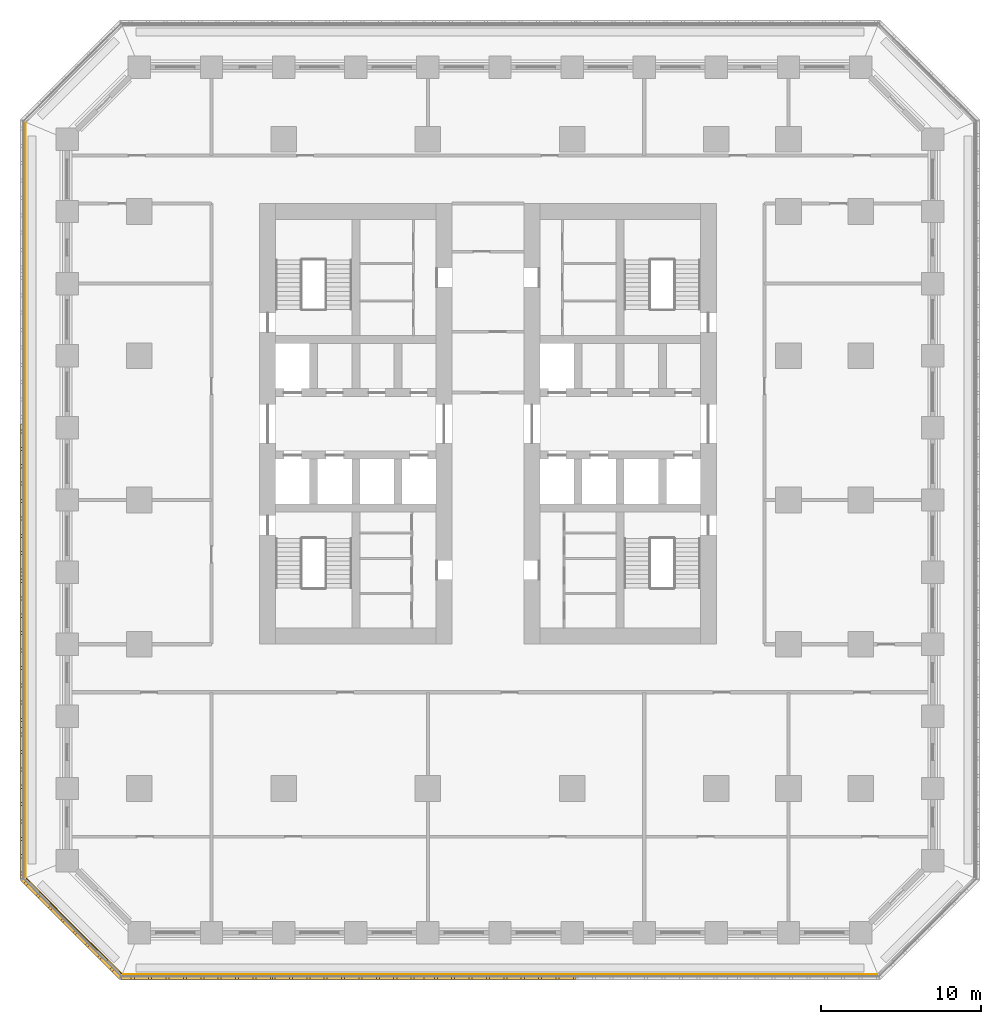
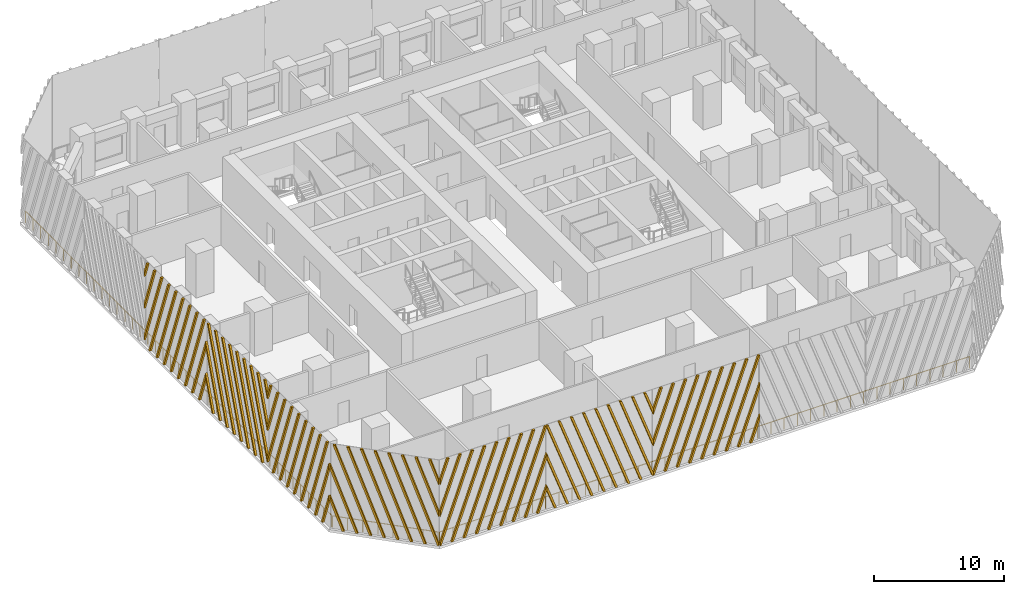
# One storey, part 9 of 14: 7 shading devices, 3 railings.
"""IFC4 building model written with IfcOpenShell, lengths in metres."""

from ifc_helpers import new_model, si_unit, direction, frame, origin, origin_2d, place, context, subcontext, project, spatial, polyline, circle, outline, extrude, source, transform, mapped, material, type_object, element, save


model = new_model("IFC4")

# Units and contexts
model_context = context("Model", 3, precision=1e-05, world=origin(), true_north=direction((0.0, 1.0)))
body_context = subcontext(model_context, "Body", "Model", "MODEL_VIEW")
ifc_project = project(units=[si_unit("LENGTHUNIT", "METRE"), si_unit("AREAUNIT", "SQUARE_METRE"), si_unit("VOLUMEUNIT", "CUBIC_METRE"), si_unit("PLANEANGLEUNIT", "RADIAN"), si_unit("MASSUNIT", "GRAM", prefix="KILO")], contexts=[model_context])

# Site, building, storey
site_placement = place(None, origin())
site = spatial("IfcSite", under=ifc_project, at=site_placement, CompositionType="ELEMENT")
building_placement = place(site_placement, origin())
building = spatial("IfcBuilding", under=site, at=building_placement, Name="Corbel Stack Research Tower", CompositionType="ELEMENT")
storey_placement = place(building_placement, frame((0.0, 0.0, 50.10009765625)))
storey = spatial("IfcBuildingStorey", under=building, at=storey_placement, Name="L11", CompositionType="ELEMENT", Elevation=50.10009765625)

# Railings
ifc_material_1 = material(Name="Powder-coated steel guard", Category="steel")
railing_type = type_object("IfcRailingType", Name="Steel and glass guard 1100", PredefinedType="GUARDRAIL", material=ifc_material_1)
railing_1_placement = place(storey_placement, frame((-19.00537109375, -29.60009765625, 0.0)))
element("IfcRailing", 1, at=railing_1_placement, inside=storey, type_object=railing_type, Name="Loggia guard L11 S", PredefinedType="GUARDRAIL", context=body_context, shape_type="SweptSolid", body=[
    extrude(circle(Radius=0.02392578125, at=origin_2d()), frame((0.0, 0.0, 1.076171875), z_axis=(1.0, 0.0, 0.0), x_axis=(0.0, 1.0, 0.0)), (0.0, 0.0, 1.0), 47.0107421875),
    extrude(circle(Radius=0.02099609375, at=origin_2d()), origin(), (0.0, 0.0, 1.0), 1.052001953125),
    extrude(circle(Radius=0.02099609375, at=origin_2d()), frame((1.17529296875, 0.0, 0.0)), (0.0, 0.0, 1.0), 1.052001953125),
    extrude(circle(Radius=0.02099609375, at=origin_2d()), frame((2.3505859375, 0.0, 0.0)), (0.0, 0.0, 1.0), 1.052001953125),
    extrude(circle(Radius=0.02099609375, at=origin_2d()), frame((3.52587890625, 0.0, 0.0)), (0.0, 0.0, 1.0), 1.052001953125),
    extrude(circle(Radius=0.02099609375, at=origin_2d()), frame((4.701171875, 0.0, 0.0)), (0.0, 0.0, 1.0), 1.052001953125),
    extrude(circle(Radius=0.02099609375, at=origin_2d()), frame((5.87646484375, 0.0, 0.0)), (0.0, 0.0, 1.0), 1.052001953125),
    extrude(circle(Radius=0.02099609375, at=origin_2d()), frame((7.051513671875, 0.0, 0.0)), (0.0, 0.0, 1.0), 1.052001953125),
    extrude(circle(Radius=0.02099609375, at=origin_2d()), frame((8.226806640625, 0.0, 0.0)), (0.0, 0.0, 1.0), 1.052001953125),
    extrude(circle(Radius=0.02099609375, at=origin_2d()), frame((9.402099609375, 0.0, 0.0)), (0.0, 0.0, 1.0), 1.052001953125),
    extrude(circle(Radius=0.02099609375, at=origin_2d()), frame((10.577392578125, 0.0, 0.0)), (0.0, 0.0, 1.0), 1.052001953125),
    extrude(circle(Radius=0.02099609375, at=origin_2d()), frame((11.752685546875, 0.0, 0.0)), (0.0, 0.0, 1.0), 1.052001953125),
    extrude(circle(Radius=0.02099609375, at=origin_2d()), frame((12.927978515625, 0.0, 0.0)), (0.0, 0.0, 1.0), 1.052001953125),
    extrude(circle(Radius=0.02099609375, at=origin_2d()), frame((14.103271484375, 0.0, 0.0)), (0.0, 0.0, 1.0), 1.052001953125),
    extrude(circle(Radius=0.02099609375, at=origin_2d()), frame((15.278564453125, 0.0, 0.0)), (0.0, 0.0, 1.0), 1.052001953125),
    extrude(circle(Radius=0.02099609375, at=origin_2d()), frame((16.453857421875, 0.0, 0.0)), (0.0, 0.0, 1.0), 1.052001953125),
    extrude(circle(Radius=0.02099609375, at=origin_2d()), frame((17.62890625, 0.0, 0.0)), (0.0, 0.0, 1.0), 1.052001953125),
    extrude(circle(Radius=0.02099609375, at=origin_2d()), frame((18.80419921875, 0.0, 0.0)), (0.0, 0.0, 1.0), 1.052001953125),
    extrude(circle(Radius=0.02099609375, at=origin_2d()), frame((19.9794921875, 0.0, 0.0)), (0.0, 0.0, 1.0), 1.052001953125),
    extrude(circle(Radius=0.02099609375, at=origin_2d()), frame((21.15478515625, 0.0, 0.0)), (0.0, 0.0, 1.0), 1.052001953125),
    extrude(circle(Radius=0.02099609375, at=origin_2d()), frame((22.330078125, 0.0, 0.0)), (0.0, 0.0, 1.0), 1.052001953125),
    extrude(circle(Radius=0.02099609375, at=origin_2d()), frame((23.50537109375, 0.0, 0.0)), (0.0, 0.0, 1.0), 1.052001953125),
    extrude(circle(Radius=0.02099609375, at=origin_2d()), frame((24.6806640625, 0.0, 0.0)), (0.0, 0.0, 1.0), 1.052001953125),
    extrude(circle(Radius=0.02099609375, at=origin_2d()), frame((25.85595703125, 0.0, 0.0)), (0.0, 0.0, 1.0), 1.052001953125),
    extrude(circle(Radius=0.02099609375, at=origin_2d()), frame((27.03125, 0.0, 0.0)), (0.0, 0.0, 1.0), 1.052001953125),
    extrude(circle(Radius=0.02099609375, at=origin_2d()), frame((28.20654296875, 0.0, 0.0)), (0.0, 0.0, 1.0), 1.052001953125),
    extrude(circle(Radius=0.02099609375, at=origin_2d()), frame((29.3818359375, 0.0, 0.0)), (0.0, 0.0, 1.0), 1.052001953125),
    extrude(circle(Radius=0.02099609375, at=origin_2d()), frame((30.556884765625, 0.0, 0.0)), (0.0, 0.0, 1.0), 1.052001953125),
    extrude(circle(Radius=0.02099609375, at=origin_2d()), frame((31.732177734375, 0.0, 0.0)), (0.0, 0.0, 1.0), 1.052001953125),
    extrude(circle(Radius=0.02099609375, at=origin_2d()), frame((32.907470703125, 0.0, 0.0)), (0.0, 0.0, 1.0), 1.052001953125),
    extrude(circle(Radius=0.02099609375, at=origin_2d()), frame((34.082763671875, 0.0, 0.0)), (0.0, 0.0, 1.0), 1.052001953125),
    extrude(circle(Radius=0.02099609375, at=origin_2d()), frame((35.258056640625, 0.0, 0.0)), (0.0, 0.0, 1.0), 1.052001953125),
    extrude(circle(Radius=0.02099609375, at=origin_2d()), frame((36.433349609375, 0.0, 0.0)), (0.0, 0.0, 1.0), 1.052001953125),
    extrude(circle(Radius=0.02099609375, at=origin_2d()), frame((37.608642578125, 0.0, 0.0)), (0.0, 0.0, 1.0), 1.052001953125),
    extrude(circle(Radius=0.02099609375, at=origin_2d()), frame((38.783935546875, 0.0, 0.0)), (0.0, 0.0, 1.0), 1.052001953125),
    extrude(circle(Radius=0.02099609375, at=origin_2d()), frame((39.959228515625, 0.0, 0.0)), (0.0, 0.0, 1.0), 1.052001953125),
    extrude(circle(Radius=0.02099609375, at=origin_2d()), frame((41.13427734375, 0.0, 0.0)), (0.0, 0.0, 1.0), 1.052001953125),
    extrude(circle(Radius=0.02099609375, at=origin_2d()), frame((42.3095703125, 0.0, 0.0)), (0.0, 0.0, 1.0), 1.052001953125),
    extrude(circle(Radius=0.02099609375, at=origin_2d()), frame((43.48486328125, 0.0, 0.0)), (0.0, 0.0, 1.0), 1.052001953125),
    extrude(circle(Radius=0.02099609375, at=origin_2d()), frame((44.66015625, 0.0, 0.0)), (0.0, 0.0, 1.0), 1.052001953125),
    extrude(circle(Radius=0.02099609375, at=origin_2d()), frame((45.83544921875, 0.0, 0.0)), (0.0, 0.0, 1.0), 1.052001953125),
    extrude(circle(Radius=0.02099609375, at=origin_2d()), frame((47.0107421875, 0.0, 0.0)), (0.0, 0.0, 1.0), 1.052001953125),
])
railing_2_placement = place(storey_placement, frame((-25.10009765625, 23.50537109375, 0.0)))
element("IfcRailing", 2, at=railing_2_placement, inside=storey, type_object=railing_type, Name="Loggia guard L11 W", PredefinedType="GUARDRAIL", context=body_context, shape_type="SweptSolid", body=[
    extrude(circle(Radius=0.02392578125, at=origin_2d()), frame((0.0, 0.0, 1.076171875), z_axis=(0.0, -1.0, 0.0), x_axis=(1.0, 0.0, 0.0)), (0.0, 0.0, 1.0), 47.0107421875),
    extrude(circle(Radius=0.02099609375, at=origin_2d()), origin(), (0.0, 0.0, 1.0), 1.052001953125),
    extrude(circle(Radius=0.02099609375, at=origin_2d()), frame((0.0, -1.17529296875, 0.0)), (0.0, 0.0, 1.0), 1.052001953125),
    extrude(circle(Radius=0.02099609375, at=origin_2d()), frame((0.0, -2.3505859375, 0.0)), (0.0, 0.0, 1.0), 1.052001953125),
    extrude(circle(Radius=0.02099609375, at=origin_2d()), frame((0.0, -3.52587890625, 0.0)), (0.0, 0.0, 1.0), 1.052001953125),
    extrude(circle(Radius=0.02099609375, at=origin_2d()), frame((0.0, -4.701171875, 0.0)), (0.0, 0.0, 1.0), 1.052001953125),
    extrude(circle(Radius=0.02099609375, at=origin_2d()), frame((0.0, -5.87646484375, 0.0)), (0.0, 0.0, 1.0), 1.052001953125),
    extrude(circle(Radius=0.02099609375, at=origin_2d()), frame((0.0, -7.051513671875, 0.0)), (0.0, 0.0, 1.0), 1.052001953125),
    extrude(circle(Radius=0.02099609375, at=origin_2d()), frame((0.0, -8.226806640625, 0.0)), (0.0, 0.0, 1.0), 1.052001953125),
    extrude(circle(Radius=0.02099609375, at=origin_2d()), frame((0.0, -9.402099609375, 0.0)), (0.0, 0.0, 1.0), 1.052001953125),
    extrude(circle(Radius=0.02099609375, at=origin_2d()), frame((0.0, -10.577392578125, 0.0)), (0.0, 0.0, 1.0), 1.052001953125),
    extrude(circle(Radius=0.02099609375, at=origin_2d()), frame((0.0, -11.752685546875, 0.0)), (0.0, 0.0, 1.0), 1.052001953125),
    extrude(circle(Radius=0.02099609375, at=origin_2d()), frame((0.0, -12.927978515625, 0.0)), (0.0, 0.0, 1.0), 1.052001953125),
    extrude(circle(Radius=0.02099609375, at=origin_2d()), frame((0.0, -14.103271484375, 0.0)), (0.0, 0.0, 1.0), 1.052001953125),
    extrude(circle(Radius=0.02099609375, at=origin_2d()), frame((0.0, -15.278564453125, 0.0)), (0.0, 0.0, 1.0), 1.052001953125),
    extrude(circle(Radius=0.02099609375, at=origin_2d()), frame((0.0, -16.453857421875, 0.0)), (0.0, 0.0, 1.0), 1.052001953125),
    extrude(circle(Radius=0.02099609375, at=origin_2d()), frame((0.0, -17.62890625, 0.0)), (0.0, 0.0, 1.0), 1.052001953125),
    extrude(circle(Radius=0.02099609375, at=origin_2d()), frame((0.0, -18.80419921875, 0.0)), (0.0, 0.0, 1.0), 1.052001953125),
    extrude(circle(Radius=0.02099609375, at=origin_2d()), frame((0.0, -19.9794921875, 0.0)), (0.0, 0.0, 1.0), 1.052001953125),
    extrude(circle(Radius=0.02099609375, at=origin_2d()), frame((0.0, -21.15478515625, 0.0)), (0.0, 0.0, 1.0), 1.052001953125),
    extrude(circle(Radius=0.02099609375, at=origin_2d()), frame((0.0, -22.330078125, 0.0)), (0.0, 0.0, 1.0), 1.052001953125),
    extrude(circle(Radius=0.02099609375, at=origin_2d()), frame((0.0, -23.50537109375, 0.0)), (0.0, 0.0, 1.0), 1.052001953125),
    extrude(circle(Radius=0.02099609375, at=origin_2d()), frame((0.0, -24.6806640625, 0.0)), (0.0, 0.0, 1.0), 1.052001953125),
    extrude(circle(Radius=0.02099609375, at=origin_2d()), frame((0.0, -25.85595703125, 0.0)), (0.0, 0.0, 1.0), 1.052001953125),
    extrude(circle(Radius=0.02099609375, at=origin_2d()), frame((0.0, -27.03125, 0.0)), (0.0, 0.0, 1.0), 1.052001953125),
    extrude(circle(Radius=0.02099609375, at=origin_2d()), frame((0.0, -28.20654296875, 0.0)), (0.0, 0.0, 1.0), 1.052001953125),
    extrude(circle(Radius=0.02099609375, at=origin_2d()), frame((0.0, -29.3818359375, 0.0)), (0.0, 0.0, 1.0), 1.052001953125),
    extrude(circle(Radius=0.02099609375, at=origin_2d()), frame((0.0, -30.556884765625, 0.0)), (0.0, 0.0, 1.0), 1.052001953125),
    extrude(circle(Radius=0.02099609375, at=origin_2d()), frame((0.0, -31.732177734375, 0.0)), (0.0, 0.0, 1.0), 1.052001953125),
    extrude(circle(Radius=0.02099609375, at=origin_2d()), frame((0.0, -32.907470703125, 0.0)), (0.0, 0.0, 1.0), 1.052001953125),
    extrude(circle(Radius=0.02099609375, at=origin_2d()), frame((0.0, -34.082763671875, 0.0)), (0.0, 0.0, 1.0), 1.052001953125),
    extrude(circle(Radius=0.02099609375, at=origin_2d()), frame((0.0, -35.258056640625, 0.0)), (0.0, 0.0, 1.0), 1.052001953125),
    extrude(circle(Radius=0.02099609375, at=origin_2d()), frame((0.0, -36.433349609375, 0.0)), (0.0, 0.0, 1.0), 1.052001953125),
    extrude(circle(Radius=0.02099609375, at=origin_2d()), frame((0.0, -37.608642578125, 0.0)), (0.0, 0.0, 1.0), 1.052001953125),
    extrude(circle(Radius=0.02099609375, at=origin_2d()), frame((0.0, -38.783935546875, 0.0)), (0.0, 0.0, 1.0), 1.052001953125),
    extrude(circle(Radius=0.02099609375, at=origin_2d()), frame((0.0, -39.959228515625, 0.0)), (0.0, 0.0, 1.0), 1.052001953125),
    extrude(circle(Radius=0.02099609375, at=origin_2d()), frame((0.0, -41.13427734375, 0.0)), (0.0, 0.0, 1.0), 1.052001953125),
    extrude(circle(Radius=0.02099609375, at=origin_2d()), frame((0.0, -42.3095703125, 0.0)), (0.0, 0.0, 1.0), 1.052001953125),
    extrude(circle(Radius=0.02099609375, at=origin_2d()), frame((0.0, -43.48486328125, 0.0)), (0.0, 0.0, 1.0), 1.052001953125),
    extrude(circle(Radius=0.02099609375, at=origin_2d()), frame((0.0, -44.66015625, 0.0)), (0.0, 0.0, 1.0), 1.052001953125),
    extrude(circle(Radius=0.02099609375, at=origin_2d()), frame((0.0, -45.83544921875, 0.0)), (0.0, 0.0, 1.0), 1.052001953125),
    extrude(circle(Radius=0.02099609375, at=origin_2d()), frame((0.0, -47.0107421875, 0.0)), (0.0, 0.0, 1.0), 1.052001953125),
])
railing_3_placement = place(storey_placement, frame((-25.04931640625, -23.627685546875, 0.0)))
element("IfcRailing", 3, at=railing_3_placement, inside=storey, type_object=railing_type, Name="Loggia guard L11 SW", PredefinedType="GUARDRAIL", context=body_context, shape_type="SweptSolid", body=[
    extrude(circle(Radius=0.02392578125, at=origin_2d()), frame((0.0, 0.0, 1.076171875), z_axis=(0.707106781187, -0.707106781187, 0.0), x_axis=(0.707106781187, 0.707106781187, 0.0)), (0.0, 0.0, 1.0), 8.37451171875),
    extrude(circle(Radius=0.02099609375, at=origin_2d()), origin(), (0.0, 0.0, 1.0), 1.052001953125),
    extrude(circle(Radius=0.02099609375, at=origin_2d()), frame((0.845947265625, -0.845947265625, 0.0)), (0.0, 0.0, 1.0), 1.052001953125),
    extrude(circle(Radius=0.02099609375, at=origin_2d()), frame((1.69189453125, -1.69189453125, 0.0)), (0.0, 0.0, 1.0), 1.052001953125),
    extrude(circle(Radius=0.02099609375, at=origin_2d()), frame((2.537841796875, -2.537841796875, 0.0)), (0.0, 0.0, 1.0), 1.052001953125),
    extrude(circle(Radius=0.02099609375, at=origin_2d()), frame((3.3837890625, -3.3837890625, 0.0)), (0.0, 0.0, 1.0), 1.052001953125),
    extrude(circle(Radius=0.02099609375, at=origin_2d()), frame((4.229736328125, -4.229736328125, 0.0)), (0.0, 0.0, 1.0), 1.052001953125),
    extrude(circle(Radius=0.02099609375, at=origin_2d()), frame((5.07568359375, -5.07568359375, 0.0)), (0.0, 0.0, 1.0), 1.052001953125),
    extrude(circle(Radius=0.02099609375, at=origin_2d()), frame((5.921630859375, -5.921630859375, 0.0)), (0.0, 0.0, 1.0), 1.052001953125),
])

# Shading devices
ifc_material_2 = material(Name="Precast terracotta", Category="masonry")
shading_device_type = type_object("IfcShadingDeviceType", Name="Terracotta screen panel", PredefinedType="USERDEFINED", material=ifc_material_2)
shared_shape_1 = source(origin(), body_context, "Body", "SweptSolid", [
    extrude(outline(polyline([(0.819091796875, 7.949951171875), (0.629150390625, 7.949951171875), (0.0, 6.22119140625), (0.0, 5.69921875), (0.819091796875, 7.949951171875)])), frame((0.0, 0.0, 0.0), z_axis=(0.0, -1.0, 0.0), x_axis=(1.0, 0.0, 0.0)), (0.0, 0.0, 1.0), 0.179931640625),
    extrude(outline(polyline([(1.90380859375, 7.949951171875), (1.7138671875, 7.949951171875), (0.0, 3.2412109375), (0.0, 2.718994140625), (1.90380859375, 7.949951171875)])), frame((0.0, 0.0, 0.0), z_axis=(0.0, -1.0, 0.0), x_axis=(1.0, 0.0, 0.0)), (0.0, 0.0, 1.0), 0.179931640625),
    extrude(outline(polyline([(0.094970703125, 0.0), (2.988525390625, 7.949951171875), (2.798583984375, 7.949951171875), (0.0, 0.260986328125), (0.0, 0.0), (0.094970703125, 0.0)])), frame((0.0, 0.0, 0.0), z_axis=(0.0, -1.0, 0.0), x_axis=(1.0, 0.0, 0.0)), (0.0, 0.0, 1.0), 0.179931640625),
    extrude(outline(polyline([(1.1796875, 0.0), (4.0732421875, 7.949951171875), (3.88330078125, 7.949951171875), (0.98974609375, 0.0), (1.1796875, 0.0)])), frame((0.0, 0.0, 0.0), z_axis=(0.0, -1.0, 0.0), x_axis=(1.0, 0.0, 0.0)), (0.0, 0.0, 1.0), 0.179931640625),
    extrude(outline(polyline([(2.264404296875, 0.0), (5.157958984375, 7.949951171875), (4.968017578125, 7.949951171875), (2.07421875, 0.0), (2.264404296875, 0.0)])), frame((0.0, 0.0, 0.0), z_axis=(0.0, -1.0, 0.0), x_axis=(1.0, 0.0, 0.0)), (0.0, 0.0, 1.0), 0.179931640625),
    extrude(outline(polyline([(3.34912109375, 0.0), (6.24267578125, 7.949951171875), (6.052490234375, 7.949951171875), (3.158935546875, 0.0), (3.34912109375, 0.0)])), frame((0.0, 0.0, 0.0), z_axis=(0.0, -1.0, 0.0), x_axis=(1.0, 0.0, 0.0)), (0.0, 0.0, 1.0), 0.179931640625),
    extrude(outline(polyline([(4.43359375, 0.0), (7.3271484375, 7.949951171875), (7.13720703125, 7.949951171875), (4.24365234375, 0.0), (4.43359375, 0.0)])), frame((0.0, 0.0, 0.0), z_axis=(0.0, -1.0, 0.0), x_axis=(1.0, 0.0, 0.0)), (0.0, 0.0, 1.0), 0.179931640625),
    extrude(outline(polyline([(5.518310546875, 0.0), (8.411865234375, 7.949951171875), (8.221923828125, 7.949951171875), (5.328369140625, 0.0), (5.518310546875, 0.0)])), frame((0.0, 0.0, 0.0), z_axis=(0.0, -1.0, 0.0), x_axis=(1.0, 0.0, 0.0)), (0.0, 0.0, 1.0), 0.179931640625),
    extrude(outline(polyline([(6.60302734375, 0.0), (9.45556640625, 7.837646484375), (9.45556640625, 7.949951171875), (9.306640625, 7.949951171875), (6.4130859375, 0.0), (6.60302734375, 0.0)])), frame((0.0, 0.0, 0.0), z_axis=(0.0, -1.0, 0.0), x_axis=(1.0, 0.0, 0.0)), (0.0, 0.0, 1.0), 0.179931640625),
    extrude(outline(polyline([(7.687744140625, 0.0), (9.45556640625, 4.857421875), (9.45556640625, 5.37939453125), (7.497802734375, 0.0), (7.687744140625, 0.0)])), frame((0.0, 0.0, 0.0), z_axis=(0.0, -1.0, 0.0), x_axis=(1.0, 0.0, 0.0)), (0.0, 0.0, 1.0), 0.179931640625),
    extrude(outline(polyline([(8.772216796875, 0.0), (9.45556640625, 1.87744140625), (9.45556640625, 2.3994140625), (8.582275390625, 0.0), (8.772216796875, 0.0)])), frame((0.0, 0.0, 0.0), z_axis=(0.0, -1.0, 0.0), x_axis=(1.0, 0.0, 0.0)), (0.0, 0.0, 1.0), 0.179931640625),
])
for number, where, z_axis, x_axis, name in (
    (4, (-19.13916015625, -29.75, 0.0), (0.0, 0.0, 1.0), (1.0, 0.0, 0.0), "Terracotta screen L11 S1"),
    (5, (-0.227783203125, -29.75, 0.0), (0.0, 0.0, 1.0), (1.0, 0.0, 0.0), "Terracotta screen L11 S3"),
):
    element("IfcShadingDevice", number, at=place(storey_placement, frame(where, z_axis=z_axis, x_axis=x_axis)), inside=storey, type_object=shading_device_type, Name=name, ObjectType="SCREEN", PredefinedType="USERDEFINED", context=body_context, shape_type="MappedRepresentation", body=[
        mapped(shared_shape_1, transform((0.0, 0.0, 0.0))),
    ])
shared_shape_2 = source(origin(), body_context, "Body", "SweptSolid", [
    extrude(outline(polyline([(0.873291015625, 0.0), (0.0, 2.3994140625), (0.0, 1.87744140625), (0.683349609375, 0.0), (0.873291015625, 0.0)])), frame((0.0, 0.0, 0.0), z_axis=(0.0, -1.0, 0.0), x_axis=(1.0, 0.0, 0.0)), (0.0, 0.0, 1.0), 0.179931640625),
    extrude(outline(polyline([(1.9580078125, 0.0), (0.0, 5.37939453125), (0.0, 4.857421875), (1.76806640625, 0.0), (1.9580078125, 0.0)])), frame((0.0, 0.0, 0.0), z_axis=(0.0, -1.0, 0.0), x_axis=(1.0, 0.0, 0.0)), (0.0, 0.0, 1.0), 0.179931640625),
    extrude(outline(polyline([(3.04248046875, 0.0), (0.149169921875, 7.949951171875), (0.0, 7.949951171875), (0.0, 7.837646484375), (2.8525390625, 0.0), (3.04248046875, 0.0)])), frame((0.0, 0.0, 0.0), z_axis=(0.0, -1.0, 0.0), x_axis=(1.0, 0.0, 0.0)), (0.0, 0.0, 1.0), 0.179931640625),
    extrude(outline(polyline([(4.127197265625, 0.0), (1.233642578125, 7.949951171875), (1.043701171875, 7.949951171875), (3.937255859375, 0.0), (4.127197265625, 0.0)])), frame((0.0, 0.0, 0.0), z_axis=(0.0, -1.0, 0.0), x_axis=(1.0, 0.0, 0.0)), (0.0, 0.0, 1.0), 0.179931640625),
    extrude(outline(polyline([(5.2119140625, 0.0), (2.318359375, 7.949951171875), (2.12841796875, 7.949951171875), (5.02197265625, 0.0), (5.2119140625, 0.0)])), frame((0.0, 0.0, 0.0), z_axis=(0.0, -1.0, 0.0), x_axis=(1.0, 0.0, 0.0)), (0.0, 0.0, 1.0), 0.179931640625),
    extrude(outline(polyline([(6.296630859375, 0.0), (3.403076171875, 7.949951171875), (3.213134765625, 7.949951171875), (6.106689453125, 0.0), (6.296630859375, 0.0)])), frame((0.0, 0.0, 0.0), z_axis=(0.0, -1.0, 0.0), x_axis=(1.0, 0.0, 0.0)), (0.0, 0.0, 1.0), 0.179931640625),
    extrude(outline(polyline([(7.38134765625, 0.0), (4.48779296875, 7.949951171875), (4.297607421875, 7.949951171875), (7.19140625, 0.0), (7.38134765625, 0.0)])), frame((0.0, 0.0, 0.0), z_axis=(0.0, -1.0, 0.0), x_axis=(1.0, 0.0, 0.0)), (0.0, 0.0, 1.0), 0.179931640625),
    extrude(outline(polyline([(8.466064453125, 0.0), (5.572509765625, 7.949951171875), (5.38232421875, 7.949951171875), (8.27587890625, 0.0), (8.466064453125, 0.0)])), frame((0.0, 0.0, 0.0), z_axis=(0.0, -1.0, 0.0), x_axis=(1.0, 0.0, 0.0)), (0.0, 0.0, 1.0), 0.179931640625),
    extrude(outline(polyline([(9.45556640625, 0.0), (9.45556640625, 0.260986328125), (6.656982421875, 7.949951171875), (6.467041015625, 7.949951171875), (9.360595703125, 0.0), (9.45556640625, 0.0)])), frame((0.0, 0.0, 0.0), z_axis=(0.0, -1.0, 0.0), x_axis=(1.0, 0.0, 0.0)), (0.0, 0.0, 1.0), 0.179931640625),
    extrude(outline(polyline([(7.74169921875, 7.949951171875), (7.5517578125, 7.949951171875), (9.45556640625, 2.718994140625), (9.45556640625, 3.2412109375), (7.74169921875, 7.949951171875)])), frame((0.0, 0.0, 0.0), z_axis=(0.0, -1.0, 0.0), x_axis=(1.0, 0.0, 0.0)), (0.0, 0.0, 1.0), 0.179931640625),
    extrude(outline(polyline([(8.826416015625, 7.949951171875), (8.636474609375, 7.949951171875), (9.45556640625, 5.69921875), (9.45556640625, 6.22119140625), (8.826416015625, 7.949951171875)])), frame((0.0, 0.0, 0.0), z_axis=(0.0, -1.0, 0.0), x_axis=(1.0, 0.0, 0.0)), (0.0, 0.0, 1.0), 0.179931640625),
])
shading_device_1_placement = place(storey_placement, frame((-9.68359375, -29.75, 0.0), z_axis=(0.0, 0.0, 1.0), x_axis=(1.0, 0.0, 0.0)))
element("IfcShadingDevice", 6, at=shading_device_1_placement, inside=storey, type_object=shading_device_type, Name="Terracotta screen L11 S2", ObjectType="SCREEN", PredefinedType="USERDEFINED", context=body_context, shape_type="MappedRepresentation", body=[
    mapped(shared_shape_2, transform((0.0, 0.0, 0.0))),
])
shared_shape_3 = source(origin(), body_context, "Body", "SweptSolid", [
    extrude(outline(polyline([(0.548095703125, 7.949951171875), (0.358154296875, 7.949951171875), (0.0, 6.96630859375), (0.0, 6.444091796875), (0.548095703125, 7.949951171875)])), frame((0.0, 0.0, 0.0), z_axis=(0.0, -1.0, 0.0), x_axis=(1.0, 0.0, 0.0)), (0.0, 0.0, 1.0), 0.179931640625),
    extrude(outline(polyline([(1.6328125, 7.949951171875), (1.442626953125, 7.949951171875), (0.0, 3.986083984375), (0.0, 3.464111328125), (1.6328125, 7.949951171875)])), frame((0.0, 0.0, 0.0), z_axis=(0.0, -1.0, 0.0), x_axis=(1.0, 0.0, 0.0)), (0.0, 0.0, 1.0), 0.179931640625),
    extrude(outline(polyline([(2.71728515625, 7.949951171875), (2.52734375, 7.949951171875), (0.0, 1.006103515625), (0.0, 0.48388671875), (2.71728515625, 7.949951171875)])), frame((0.0, 0.0, 0.0), z_axis=(0.0, -1.0, 0.0), x_axis=(1.0, 0.0, 0.0)), (0.0, 0.0, 1.0), 0.179931640625),
    extrude(outline(polyline([(0.908447265625, 0.0), (3.802001953125, 7.949951171875), (3.612060546875, 7.949951171875), (0.718505859375, 0.0), (0.908447265625, 0.0)])), frame((0.0, 0.0, 0.0), z_axis=(0.0, -1.0, 0.0), x_axis=(1.0, 0.0, 0.0)), (0.0, 0.0, 1.0), 0.179931640625),
    extrude(outline(polyline([(1.9931640625, 0.0), (4.88671875, 7.949951171875), (4.69677734375, 7.949951171875), (1.80322265625, 0.0), (1.9931640625, 0.0)])), frame((0.0, 0.0, 0.0), z_axis=(0.0, -1.0, 0.0), x_axis=(1.0, 0.0, 0.0)), (0.0, 0.0, 1.0), 0.179931640625),
    extrude(outline(polyline([(3.077880859375, 0.0), (5.971435546875, 7.949951171875), (5.781494140625, 7.949951171875), (2.8876953125, 0.0), (3.077880859375, 0.0)])), frame((0.0, 0.0, 0.0), z_axis=(0.0, -1.0, 0.0), x_axis=(1.0, 0.0, 0.0)), (0.0, 0.0, 1.0), 0.179931640625),
    extrude(outline(polyline([(4.16259765625, 0.0), (7.05615234375, 7.949951171875), (6.8662109375, 7.949951171875), (3.972412109375, 0.0), (4.16259765625, 0.0)])), frame((0.0, 0.0, 0.0), z_axis=(0.0, -1.0, 0.0), x_axis=(1.0, 0.0, 0.0)), (0.0, 0.0, 1.0), 0.179931640625),
    extrude(outline(polyline([(5.247314453125, 0.0), (8.140625, 7.949951171875), (7.95068359375, 7.949951171875), (5.05712890625, 0.0), (5.247314453125, 0.0)])), frame((0.0, 0.0, 0.0), z_axis=(0.0, -1.0, 0.0), x_axis=(1.0, 0.0, 0.0)), (0.0, 0.0, 1.0), 0.179931640625),
    extrude(outline(polyline([(6.331787109375, 0.0), (9.225341796875, 7.949951171875), (9.035400390625, 7.949951171875), (6.141845703125, 0.0), (6.331787109375, 0.0)])), frame((0.0, 0.0, 0.0), z_axis=(0.0, -1.0, 0.0), x_axis=(1.0, 0.0, 0.0)), (0.0, 0.0, 1.0), 0.179931640625),
    extrude(outline(polyline([(7.41650390625, 0.0), (9.45556640625, 5.6025390625), (9.45556640625, 6.12451171875), (7.2265625, 0.0), (7.41650390625, 0.0)])), frame((0.0, 0.0, 0.0), z_axis=(0.0, -1.0, 0.0), x_axis=(1.0, 0.0, 0.0)), (0.0, 0.0, 1.0), 0.179931640625),
    extrude(outline(polyline([(8.501220703125, 0.0), (9.45556640625, 2.622314453125), (9.45556640625, 3.144287109375), (8.311279296875, 0.0), (8.501220703125, 0.0)])), frame((0.0, 0.0, 0.0), z_axis=(0.0, -1.0, 0.0), x_axis=(1.0, 0.0, 0.0)), (0.0, 0.0, 1.0), 0.179931640625),
])
for number, where, z_axis, x_axis, name in (
    (7, (-25.25, 4.727783203125, 0.0), (0.0, 0.0, 1.0), (0.0, -1.0, 0.0), "Terracotta screen L11 W3"),
    (8, (-25.25, -14.18359375, 0.0), (0.0, 0.0, 1.0), (0.0, -1.0, 0.0), "Terracotta screen L11 W5"),
):
    element("IfcShadingDevice", number, at=place(storey_placement, frame(where, z_axis=z_axis, x_axis=x_axis)), inside=storey, type_object=shading_device_type, Name=name, ObjectType="SCREEN", PredefinedType="USERDEFINED", context=body_context, shape_type="MappedRepresentation", body=[
        mapped(shared_shape_3, transform((0.0, 0.0, 0.0))),
    ])
shared_shape_4 = source(origin(), body_context, "Body", "SweptSolid", [
    extrude(outline(polyline([(1.14453125, 0.0), (0.0, 3.144287109375), (0.0, 2.622314453125), (0.95458984375, 0.0), (1.14453125, 0.0)])), frame((0.0, 0.0, 0.0), z_axis=(0.0, -1.0, 0.0), x_axis=(1.0, 0.0, 0.0)), (0.0, 0.0, 1.0), 0.179931640625),
    extrude(outline(polyline([(2.22900390625, 0.0), (0.0, 6.12451171875), (0.0, 5.6025390625), (2.0390625, 0.0), (2.22900390625, 0.0)])), frame((0.0, 0.0, 0.0), z_axis=(0.0, -1.0, 0.0), x_axis=(1.0, 0.0, 0.0)), (0.0, 0.0, 1.0), 0.179931640625),
    extrude(outline(polyline([(3.313720703125, 0.0), (0.420166015625, 7.949951171875), (0.230224609375, 7.949951171875), (3.123779296875, 0.0), (3.313720703125, 0.0)])), frame((0.0, 0.0, 0.0), z_axis=(0.0, -1.0, 0.0), x_axis=(1.0, 0.0, 0.0)), (0.0, 0.0, 1.0), 0.179931640625),
    extrude(outline(polyline([(4.3984375, 0.0), (1.5048828125, 7.949951171875), (1.31494140625, 7.949951171875), (4.20849609375, 0.0), (4.3984375, 0.0)])), frame((0.0, 0.0, 0.0), z_axis=(0.0, -1.0, 0.0), x_axis=(1.0, 0.0, 0.0)), (0.0, 0.0, 1.0), 0.179931640625),
    extrude(outline(polyline([(5.483154296875, 0.0), (2.589599609375, 7.949951171875), (2.399658203125, 7.949951171875), (5.293212890625, 0.0), (5.483154296875, 0.0)])), frame((0.0, 0.0, 0.0), z_axis=(0.0, -1.0, 0.0), x_axis=(1.0, 0.0, 0.0)), (0.0, 0.0, 1.0), 0.179931640625),
    extrude(outline(polyline([(6.56787109375, 0.0), (3.67431640625, 7.949951171875), (3.484130859375, 7.949951171875), (6.377685546875, 0.0), (6.56787109375, 0.0)])), frame((0.0, 0.0, 0.0), z_axis=(0.0, -1.0, 0.0), x_axis=(1.0, 0.0, 0.0)), (0.0, 0.0, 1.0), 0.179931640625),
    extrude(outline(polyline([(7.652587890625, 0.0), (4.7587890625, 7.949951171875), (4.56884765625, 7.949951171875), (7.46240234375, 0.0), (7.652587890625, 0.0)])), frame((0.0, 0.0, 0.0), z_axis=(0.0, -1.0, 0.0), x_axis=(1.0, 0.0, 0.0)), (0.0, 0.0, 1.0), 0.179931640625),
    extrude(outline(polyline([(8.737060546875, 0.0), (5.843505859375, 7.949951171875), (5.653564453125, 7.949951171875), (8.547119140625, 0.0), (8.737060546875, 0.0)])), frame((0.0, 0.0, 0.0), z_axis=(0.0, -1.0, 0.0), x_axis=(1.0, 0.0, 0.0)), (0.0, 0.0, 1.0), 0.179931640625),
    extrude(outline(polyline([(6.92822265625, 7.949951171875), (6.73828125, 7.949951171875), (9.45556640625, 0.48388671875), (9.45556640625, 1.006103515625), (6.92822265625, 7.949951171875)])), frame((0.0, 0.0, 0.0), z_axis=(0.0, -1.0, 0.0), x_axis=(1.0, 0.0, 0.0)), (0.0, 0.0, 1.0), 0.179931640625),
    extrude(outline(polyline([(8.012939453125, 7.949951171875), (7.822998046875, 7.949951171875), (9.45556640625, 3.464111328125), (9.45556640625, 3.986083984375), (8.012939453125, 7.949951171875)])), frame((0.0, 0.0, 0.0), z_axis=(0.0, -1.0, 0.0), x_axis=(1.0, 0.0, 0.0)), (0.0, 0.0, 1.0), 0.179931640625),
    extrude(outline(polyline([(9.09765625, 7.949951171875), (8.90771484375, 7.949951171875), (9.45556640625, 6.444091796875), (9.45556640625, 6.96630859375), (9.09765625, 7.949951171875)])), frame((0.0, 0.0, 0.0), z_axis=(0.0, -1.0, 0.0), x_axis=(1.0, 0.0, 0.0)), (0.0, 0.0, 1.0), 0.179931640625),
])
shading_device_2_placement = place(storey_placement, frame((-25.25, -4.727783203125, 0.0), z_axis=(0.0, 0.0, 1.0), x_axis=(0.0, -1.0, 0.0)))
element("IfcShadingDevice", 9, at=shading_device_2_placement, inside=storey, type_object=shading_device_type, Name="Terracotta screen L11 W4", ObjectType="SCREEN", PredefinedType="USERDEFINED", context=body_context, shape_type="MappedRepresentation", body=[
    mapped(shared_shape_4, transform((0.0, 0.0, 0.0))),
])
shared_shape_5 = source(origin(), body_context, "Body", "SweptSolid", [
    extrude(outline(polyline([(1.14453125, 0.0), (0.0, 3.144287109375), (0.0, 2.622314453125), (0.95458984375, 0.0), (1.14453125, 0.0)])), frame((0.0, 0.0, 0.0), z_axis=(0.0, -1.0, 0.0), x_axis=(1.0, 0.0, 0.0)), (0.0, 0.0, 1.0), 0.179931640625),
    extrude(outline(polyline([(2.22900390625, 0.0), (0.0, 6.12451171875), (0.0, 5.6025390625), (2.0390625, 0.0), (2.22900390625, 0.0)])), frame((0.0, 0.0, 0.0), z_axis=(0.0, -1.0, 0.0), x_axis=(1.0, 0.0, 0.0)), (0.0, 0.0, 1.0), 0.179931640625),
    extrude(outline(polyline([(3.313720703125, 0.0), (0.420166015625, 7.949951171875), (0.230224609375, 7.949951171875), (3.123779296875, 0.0), (3.313720703125, 0.0)])), frame((0.0, 0.0, 0.0), z_axis=(0.0, -1.0, 0.0), x_axis=(1.0, 0.0, 0.0)), (0.0, 0.0, 1.0), 0.179931640625),
    extrude(outline(polyline([(4.3984375, 0.0), (1.5048828125, 7.949951171875), (1.31494140625, 7.949951171875), (4.20849609375, 0.0), (4.3984375, 0.0)])), frame((0.0, 0.0, 0.0), z_axis=(0.0, -1.0, 0.0), x_axis=(1.0, 0.0, 0.0)), (0.0, 0.0, 1.0), 0.179931640625),
    extrude(outline(polyline([(5.483154296875, 0.0), (2.589599609375, 7.949951171875), (2.399658203125, 7.949951171875), (5.293212890625, 0.0), (5.483154296875, 0.0)])), frame((0.0, 0.0, 0.0), z_axis=(0.0, -1.0, 0.0), x_axis=(1.0, 0.0, 0.0)), (0.0, 0.0, 1.0), 0.179931640625),
    extrude(outline(polyline([(6.56787109375, 0.0), (3.67431640625, 7.949951171875), (3.484130859375, 7.949951171875), (6.377685546875, 0.0), (6.56787109375, 0.0)])), frame((0.0, 0.0, 0.0), z_axis=(0.0, -1.0, 0.0), x_axis=(1.0, 0.0, 0.0)), (0.0, 0.0, 1.0), 0.179931640625),
    extrude(outline(polyline([(7.652587890625, 0.0), (4.7587890625, 7.949951171875), (4.56884765625, 7.949951171875), (7.46240234375, 0.0), (7.652587890625, 0.0)])), frame((0.0, 0.0, 0.0), z_axis=(0.0, -1.0, 0.0), x_axis=(1.0, 0.0, 0.0)), (0.0, 0.0, 1.0), 0.179931640625),
    extrude(outline(polyline([(8.64208984375, 0.0), (8.64208984375, 0.260986328125), (5.843505859375, 7.949951171875), (5.653564453125, 7.949951171875), (8.547119140625, 0.0), (8.64208984375, 0.0)])), frame((0.0, 0.0, 0.0), z_axis=(0.0, -1.0, 0.0), x_axis=(1.0, 0.0, 0.0)), (0.0, 0.0, 1.0), 0.179931640625),
    extrude(outline(polyline([(6.92822265625, 7.949951171875), (6.73828125, 7.949951171875), (8.64208984375, 2.718994140625), (8.64208984375, 3.2412109375), (6.92822265625, 7.949951171875)])), frame((0.0, 0.0, 0.0), z_axis=(0.0, -1.0, 0.0), x_axis=(1.0, 0.0, 0.0)), (0.0, 0.0, 1.0), 0.179931640625),
    extrude(outline(polyline([(8.012939453125, 7.949951171875), (7.822998046875, 7.949951171875), (8.64208984375, 5.69921875), (8.64208984375, 6.22119140625), (8.012939453125, 7.949951171875)])), frame((0.0, 0.0, 0.0), z_axis=(0.0, -1.0, 0.0), x_axis=(1.0, 0.0, 0.0)), (0.0, 0.0, 1.0), 0.179931640625),
])
shading_device_3_placement = place(storey_placement, frame((-25.25, -23.63916015625, 0.0), z_axis=(0.0, 0.0, 1.0), x_axis=(0.707106781187, -0.707106781187, 0.0)))
element("IfcShadingDevice", 10, at=shading_device_3_placement, inside=storey, type_object=shading_device_type, Name="Terracotta screen L11 SW1", ObjectType="SCREEN", PredefinedType="USERDEFINED", context=body_context, shape_type="MappedRepresentation", body=[
    mapped(shared_shape_5, transform((0.0, 0.0, 0.0))),
])

save(model, "model.ifc")
